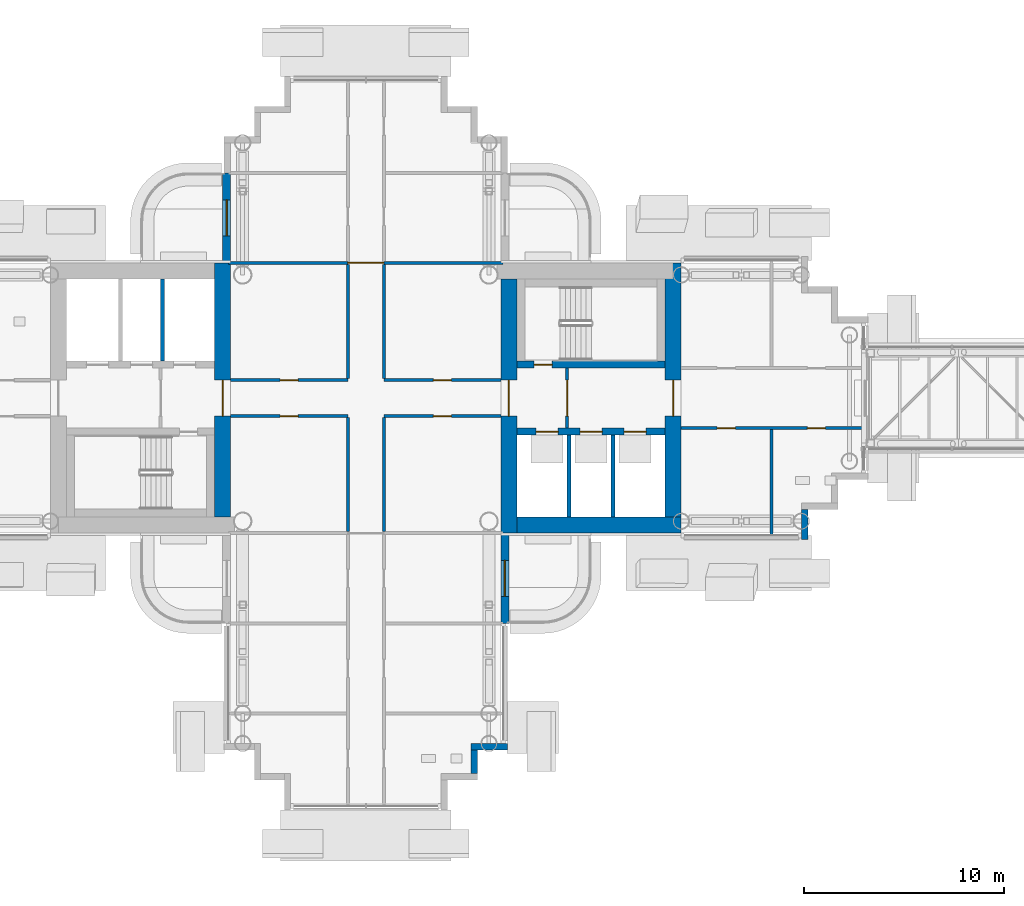
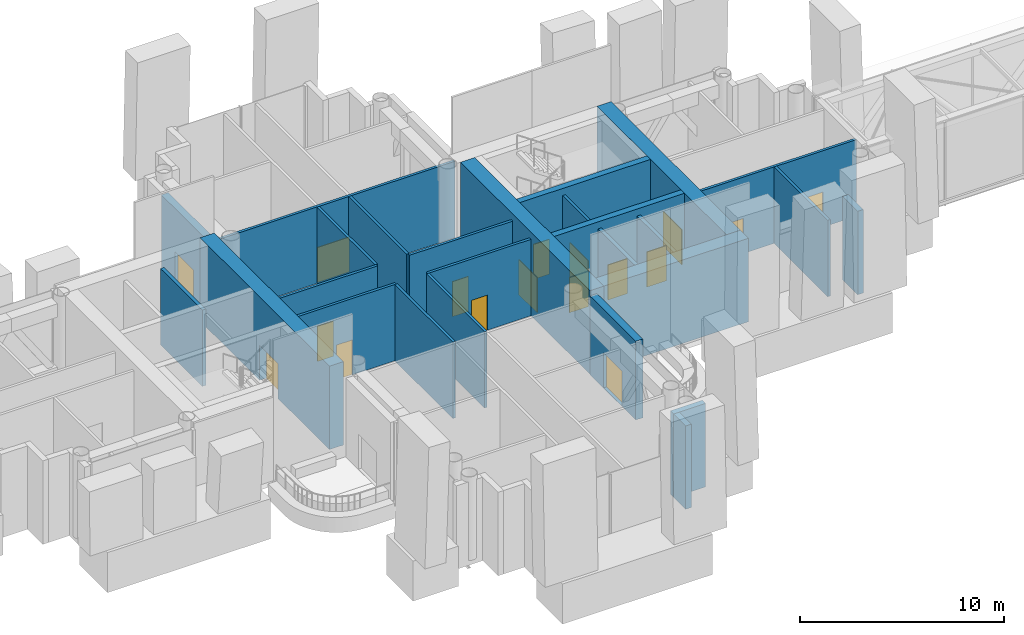
# One storey, part 13 of 34: 26 walls, 17 doors, 17 openings.
"""IFC4 building model written with IfcOpenShell, lengths in metres."""

from ifc_helpers import new_model, si_unit, direction, frame, frame_2d, origin, place, context, subcontext, project, spatial, rectangle, extrude, material, layer, layer_set, type_object, element, fill, save


model = new_model("IFC4")

# Units and contexts
model_context = context("Model", 3, precision=1e-05, world=origin(), true_north=direction((0.0, 1.0)))
body_context = subcontext(model_context, "Body", "Model", "MODEL_VIEW")
ifc_project = project(units=[si_unit("LENGTHUNIT", "METRE"), si_unit("AREAUNIT", "SQUARE_METRE"), si_unit("VOLUMEUNIT", "CUBIC_METRE"), si_unit("PLANEANGLEUNIT", "RADIAN"), si_unit("MASSUNIT", "GRAM", prefix="KILO")], contexts=[model_context])

# Site, building, storey
site_placement = place(None, origin())
site = spatial("IfcSite", under=ifc_project, at=site_placement, CompositionType="ELEMENT")
building_placement = place(site_placement, origin())
building = spatial("IfcBuilding", under=site, at=building_placement, Name="Ipe Terrace Towers", CompositionType="ELEMENT")
storey_placement = place(building_placement, frame((0.0, 0.0, 128.699951171875)))
storey = spatial("IfcBuildingStorey", under=building, at=storey_placement, Name="L35", CompositionType="ELEMENT", Elevation=128.699951171875)

# Wall, opening, door
ifc_material_1 = material(Name="Concrete C40/50 with buff precast cladding", Category="concrete")
ifc_layer_1 = layer(ifc_material_1, 0.39990234375)
ifc_layer_set_1 = layer_set([ifc_layer_1], Name="BALCONY BAY WALL 400")
wall_type_1 = type_object("IfcWallType", Name="BALCONY BAY WALL 400", PredefinedType="STANDARD", material=ifc_layer_set_1)
wall_1_placement = place(storey_placement, frame((-29.050048828125, -11.25, -0.02001953125), z_axis=(0.0, 0.0, 1.0), x_axis=(0.0, 1.0, 0.0)))
wall_1 = element("IfcWall", 1, at=wall_1_placement, inside=storey, type_object=wall_type_1, Name="T1-W-L35-18a wall", PredefinedType="STANDARD", context=body_context, shape_type="SweptSolid", body=[
    extrude(rectangle(XDim=4.5, YDim=0.39990234375, at=frame_2d((2.25, 0.0))), origin(), (0.0, 0.0, 1.0), 4.719970703125),
])
opening_1_placement = place(wall_1_placement, frame((1.35009765625, 0.0, 0.02001953125)))
opening_1 = element("IfcOpeningElement", 2, at=opening_1_placement, cuts=wall_1, Name="Opening T1-D-L35-18", PredefinedType="OPENING", context=body_context, shape_type="SweptSolid", body=[
    extrude(rectangle(XDim=1.800048828125, YDim=2.10009765625, at=frame_2d((0.89990234375, 1.050048828125))), frame((0.0, 0.2099609375, 0.0), z_axis=(0.0, -1.0, 0.0), x_axis=(1.0, 0.0, 0.0)), (0.0, 0.0, 1.0), 0.419921875),
])
ifc_material_2 = material(Name="Aluminium alloy 6063-T6 framed glazed door", Category="aluminium")
door_type_1 = type_object("IfcDoorType", Name="BALCONY DOOR 1800 x 2100 LEFT", OperationType="SINGLE_SWING_LEFT", PredefinedType="DOOR", material=ifc_material_2)
door_1_placement = place(opening_1_placement, origin())
door_1 = element("IfcDoor", 3, at=door_1_placement, inside=storey, type_object=door_type_1, Name="DB1 door", OperationType="SINGLE_SWING_LEFT", OverallHeight=2.10009765625, OverallWidth=1.800048828125, PredefinedType="DOOR", context=body_context, shape_type="SweptSolid", body=[
    extrude(rectangle(XDim=1.800048828125, YDim=2.10009765625, at=frame_2d((0.89990234375, 1.050048828125))), frame((0.0, 0.02490234375, 0.0), z_axis=(0.0, -1.0, 0.0), x_axis=(1.0, 0.0, 0.0)), (0.0, 0.0, 1.0), 0.050048828125),
])
fill(opening_1, door_1)

wall_2_placement = place(storey_placement, frame((-42.949951171875, 11.25, -0.02001953125), z_axis=(0.0, 0.0, 1.0), x_axis=(0.0, -1.0, 0.0)))
wall_2 = element("IfcWall", 4, at=wall_2_placement, inside=storey, type_object=wall_type_1, Name="T1-W-L35-44a wall", PredefinedType="STANDARD", context=body_context, shape_type="SweptSolid", body=[
    extrude(rectangle(XDim=4.5, YDim=0.39990234375, at=frame_2d((2.25, 0.0))), origin(), (0.0, 0.0, 1.0), 4.719970703125),
])
opening_2_placement = place(wall_2_placement, frame((1.35009765625, 0.0, 0.02001953125)))
opening_2 = element("IfcOpeningElement", 5, at=opening_2_placement, cuts=wall_2, Name="Opening T1-D-L35-44", PredefinedType="OPENING", context=body_context, shape_type="SweptSolid", body=[
    extrude(rectangle(XDim=1.800048828125, YDim=2.10009765625, at=frame_2d((0.89990234375, 1.050048828125))), frame((0.0, 0.2099609375, 0.0), z_axis=(0.0, -1.0, 0.0), x_axis=(1.0, 0.0, 0.0)), (0.0, 0.0, 1.0), 0.419921875),
])
door_2_placement = place(opening_2_placement, origin())
door_2 = element("IfcDoor", 6, at=door_2_placement, inside=storey, type_object=door_type_1, Name="DB1 door", OperationType="SINGLE_SWING_LEFT", OverallHeight=2.10009765625, OverallWidth=1.800048828125, PredefinedType="DOOR", context=body_context, shape_type="SweptSolid", body=[
    extrude(rectangle(XDim=1.800048828125, YDim=2.10009765625, at=frame_2d((0.89990234375, 1.050048828125))), frame((0.0, 0.02490234375, 0.0), z_axis=(0.0, -1.0, 0.0), x_axis=(1.0, 0.0, 0.0)), (0.0, 0.0, 1.0), 0.050048828125),
])
fill(opening_2, door_2)

# Walls
ifc_material_3 = material(Name="Concrete C40/50 with buff precast cladding", Category="concrete")
ifc_layer_2 = layer(ifc_material_3, 0.320068359375)
ifc_layer_set_2 = layer_set([ifc_layer_2], Name="BUFF CLADDING WALL 320")
wall_type_2 = type_object("IfcWallType", Name="BUFF CLADDING WALL 320", PredefinedType="STANDARD", material=ifc_layer_set_2)
wall_3_placement = place(storey_placement, frame((-30.590087890625, -18.75, -0.300048828125), z_axis=(0.0, 0.0, 1.0), x_axis=(0.0, 1.0, 0.0)))
element("IfcWall", 7, at=wall_3_placement, inside=storey, type_object=wall_type_2, Name="T1-W-L35-15a wall", PredefinedType="STANDARD", context=body_context, shape_type="SweptSolid", body=[
    extrude(rectangle(XDim=1.179931640625, YDim=0.320068359375, at=frame_2d((0.58984375, 0.0))), origin(), (0.0, 0.0, 1.0), 5.0),
])
wall_4_placement = place(storey_placement, frame((-30.75, -17.409912109375, -0.300048828125), z_axis=(0.0, 0.0, 1.0), x_axis=(1.0, 0.0, 0.0)))
element("IfcWall", 8, at=wall_4_placement, inside=storey, type_object=wall_type_2, Name="T1-W-L35-16a wall", PredefinedType="STANDARD", context=body_context, shape_type="SweptSolid", body=[
    extrude(rectangle(XDim=1.820068359375, YDim=0.320068359375, at=frame_2d((0.91015625, 0.0))), origin(), (0.0, 0.0, 1.0), 5.0),
])
wall_5_placement = place(storey_placement, frame((-14.090087890625, -7.070068359375, -0.300048828125), z_axis=(0.0, 0.0, 1.0), x_axis=(0.0, 1.0, 0.0)))
element("IfcWall", 9, at=wall_5_placement, inside=storey, type_object=wall_type_2, Name="T1-W-L35-21a wall", PredefinedType="STANDARD", context=body_context, shape_type="SweptSolid", body=[
    extrude(rectangle(XDim=1.5, YDim=0.320068359375, at=frame_2d((0.75, 0.0))), origin(), (0.0, 0.0, 1.0), 5.0),
])

# Wall, opening, door
ifc_material_4 = material(Name="Gypsum board partition", Category="plasterboard")
ifc_layer_3 = layer(ifc_material_4, 0.14990234375)
ifc_layer_set_3 = layer_set([ifc_layer_3], Name="Gypsum board partition 150 mm")
wall_type_3 = type_object("IfcWallType", Name="Gypsum board partition 150 mm", PredefinedType="PARTITIONING", material=ifc_layer_set_3)
wall_6_placement = place(storey_placement, frame((-25.949951171875, -1.5, 0.0), z_axis=(0.0, 0.0, 1.0), x_axis=(0.0, 1.0, 0.0)))
wall_6 = element("IfcWall", 10, at=wall_6_placement, inside=storey, type_object=wall_type_3, Name="Gypsum board partition T1 L35 t1c1-lobby-wall", PredefinedType="PARTITIONING", context=body_context, shape_type="SweptSolid", body=[
    extrude(rectangle(XDim=3.0, YDim=0.14990234375, at=frame_2d((1.5, 0.0))), origin(), (0.0, 0.0, 1.0), 4.580078125),
])
opening_3_placement = place(wall_6_placement, frame((0.60009765625, 0.0, 0.0)))
opening_3 = element("IfcOpeningElement", 11, at=opening_3_placement, cuts=wall_6, Name="Opening T1C1-VD", PredefinedType="OPENING", context=body_context, shape_type="SweptSolid", body=[
    extrude(rectangle(XDim=1.800048828125, YDim=2.10009765625, at=frame_2d((0.89990234375, 1.050048828125))), frame((0.0, 0.0849609375, 0.0), z_axis=(0.0, -1.0, 0.0), x_axis=(1.0, 0.0, 0.0)), (0.0, 0.0, 1.0), 0.169921875),
])
ifc_material_5 = material(Name="Fire-rated timber door leaf", Category="wood")
door_type_2 = type_object("IfcDoorType", Name="Lobby door 1800 x 2100 FD60", OperationType="NOTDEFINED", PredefinedType="DOOR", material=ifc_material_5)
door_3_placement = place(opening_3_placement, origin())
door_3 = element("IfcDoor", 12, at=door_3_placement, inside=storey, type_object=door_type_2, Name="Lobby door T1C1-VD", OperationType="SINGLE_SWING_LEFT", OverallHeight=2.10009765625, OverallWidth=1.800048828125, PredefinedType="DOOR", context=body_context, shape_type="SweptSolid", body=[
    extrude(rectangle(XDim=1.800048828125, YDim=2.10009765625, at=frame_2d((0.89990234375, 1.050048828125))), frame((0.0, 0.02490234375, 0.0), z_axis=(0.0, -1.0, 0.0), x_axis=(1.0, 0.0, 0.0)), (0.0, 0.0, 1.0), 0.050048828125),
])
fill(opening_3, door_3)

wall_7_placement = place(storey_placement, frame((-35.10009765625, 0.89990234375, 0.0), z_axis=(0.0, 0.0, 1.0), x_axis=(1.0, 0.0, 0.0)))
wall_7 = element("IfcWall", 13, at=wall_7_placement, inside=storey, type_object=wall_type_3, Name="Gypsum board partition T1 L35 sp-hub-qen-x", PredefinedType="PARTITIONING", context=body_context, shape_type="SweptSolid", body=[
    extrude(rectangle(XDim=5.85009765625, YDim=0.14990234375, at=frame_2d((2.925048828125, 0.0))), origin(), (0.0, 0.0, 1.0), 4.580078125),
])
opening_4_placement = place(wall_7_placement, frame((2.47509765625, 0.0, 0.0)))
opening_4 = element("IfcOpeningElement", 14, at=opening_4_placement, cuts=wall_7, Name="Opening T1-SP-HEN", PredefinedType="OPENING", context=body_context, shape_type="SweptSolid", body=[
    extrude(rectangle(XDim=0.89990234375, YDim=2.10009765625, at=frame_2d((0.449951171875, 1.050048828125))), frame((0.0, 0.0849609375, 0.0), z_axis=(0.0, -1.0, 0.0), x_axis=(1.0, 0.0, 0.0)), (0.0, 0.0, 1.0), 0.169921875),
])
ifc_material_6 = material(Name="Fire-rated timber door leaf", Category="wood")
door_type_3 = type_object("IfcDoorType", Name="Lounge door 900 x 2100 FD30S", OperationType="NOTDEFINED", PredefinedType="DOOR", material=ifc_material_6)
door_4_placement = place(opening_4_placement, origin())
door_4 = element("IfcDoor", 15, at=door_4_placement, inside=storey, type_object=door_type_3, Name="Lounge door T1-SP-HEN", OperationType="SINGLE_SWING_LEFT", OverallHeight=2.10009765625, OverallWidth=0.89990234375, PredefinedType="DOOR", context=body_context, shape_type="SweptSolid", body=[
    extrude(rectangle(XDim=0.89990234375, YDim=2.10009765625, at=frame_2d((0.449951171875, 1.050048828125))), frame((0.0, 0.02490234375, 0.0), z_axis=(0.0, -1.0, 0.0), x_axis=(1.0, 0.0, 0.0)), (0.0, 0.0, 1.0), 0.050048828125),
])
fill(opening_4, door_4)

# Wall
wall_8_placement = place(storey_placement, frame((-35.10009765625, 0.97509765625, 0.0), z_axis=(0.0, 0.0, 1.0), x_axis=(0.0, 1.0, 0.0)))
element("IfcWall", 16, at=wall_8_placement, inside=storey, type_object=wall_type_3, Name="Gypsum board partition T1 L35 sp-hub-qen-y", PredefinedType="PARTITIONING", context=body_context, shape_type="SweptSolid", body=[
    extrude(rectangle(XDim=5.699951171875, YDim=0.14990234375, at=frame_2d((2.85009765625, 0.0))), origin(), (0.0, 0.0, 1.0), 4.580078125),
])

# Wall, opening, door
wall_9_placement = place(storey_placement, frame((-35.10009765625, -0.89990234375, 0.0), z_axis=(0.0, 0.0, 1.0), x_axis=(1.0, 0.0, 0.0)))
wall_9 = element("IfcWall", 17, at=wall_9_placement, inside=storey, type_object=wall_type_3, Name="Gypsum board partition T1 L35 sp-hub-qes-x", PredefinedType="PARTITIONING", context=body_context, shape_type="SweptSolid", body=[
    extrude(rectangle(XDim=5.85009765625, YDim=0.14990234375, at=frame_2d((2.925048828125, 0.0))), origin(), (0.0, 0.0, 1.0), 4.580078125),
])
opening_5_placement = place(wall_9_placement, frame((2.47509765625, 0.0, 0.0)))
opening_5 = element("IfcOpeningElement", 18, at=opening_5_placement, cuts=wall_9, Name="Opening T1-SP-HES", PredefinedType="OPENING", context=body_context, shape_type="SweptSolid", body=[
    extrude(rectangle(XDim=0.89990234375, YDim=2.10009765625, at=frame_2d((0.449951171875, 1.050048828125))), frame((0.0, 0.0849609375, 0.0), z_axis=(0.0, -1.0, 0.0), x_axis=(1.0, 0.0, 0.0)), (0.0, 0.0, 1.0), 0.169921875),
])
door_5_placement = place(opening_5_placement, origin())
door_5 = element("IfcDoor", 19, at=door_5_placement, inside=storey, type_object=door_type_3, Name="Lounge door T1-SP-HES", OperationType="SINGLE_SWING_RIGHT", OverallHeight=2.10009765625, OverallWidth=0.89990234375, PredefinedType="DOOR", context=body_context, shape_type="SweptSolid", body=[
    extrude(rectangle(XDim=0.89990234375, YDim=2.10009765625, at=frame_2d((0.449951171875, 1.050048828125))), frame((0.0, 0.02490234375, 0.0), z_axis=(0.0, -1.0, 0.0), x_axis=(1.0, 0.0, 0.0)), (0.0, 0.0, 1.0), 0.050048828125),
])
fill(opening_5, door_5)

# Wall
wall_10_placement = place(storey_placement, frame((-35.10009765625, -6.675048828125, 0.0), z_axis=(0.0, 0.0, 1.0), x_axis=(0.0, 1.0, 0.0)))
element("IfcWall", 20, at=wall_10_placement, inside=storey, type_object=wall_type_3, Name="Gypsum board partition T1 L35 sp-hub-qes-y", PredefinedType="PARTITIONING", context=body_context, shape_type="SweptSolid", body=[
    extrude(rectangle(XDim=5.699951171875, YDim=0.14990234375, at=frame_2d((2.85009765625, 0.0))), origin(), (0.0, 0.0, 1.0), 4.580078125),
])

# Wall, opening, door
wall_11_placement = place(storey_placement, frame((-42.75, 0.89990234375, 0.0), z_axis=(0.0, 0.0, 1.0), x_axis=(1.0, 0.0, 0.0)))
wall_11 = element("IfcWall", 21, at=wall_11_placement, inside=storey, type_object=wall_type_3, Name="Gypsum board partition T1 L35 sp-hub-qwn-x", PredefinedType="PARTITIONING", context=body_context, shape_type="SweptSolid", body=[
    extrude(rectangle(XDim=5.85009765625, YDim=0.14990234375, at=frame_2d((2.925048828125, 0.0))), origin(), (0.0, 0.0, 1.0), 4.580078125),
])
opening_6_placement = place(wall_11_placement, frame((2.47509765625, 0.0, 0.0)))
opening_6 = element("IfcOpeningElement", 22, at=opening_6_placement, cuts=wall_11, Name="Opening T1-SP-HWN", PredefinedType="OPENING", context=body_context, shape_type="SweptSolid", body=[
    extrude(rectangle(XDim=0.89990234375, YDim=2.10009765625, at=frame_2d((0.449951171875, 1.050048828125))), frame((0.0, 0.0849609375, 0.0), z_axis=(0.0, -1.0, 0.0), x_axis=(1.0, 0.0, 0.0)), (0.0, 0.0, 1.0), 0.169921875),
])
door_6_placement = place(opening_6_placement, origin())
door_6 = element("IfcDoor", 23, at=door_6_placement, inside=storey, type_object=door_type_3, Name="Lounge door T1-SP-HWN", OperationType="SINGLE_SWING_LEFT", OverallHeight=2.10009765625, OverallWidth=0.89990234375, PredefinedType="DOOR", context=body_context, shape_type="SweptSolid", body=[
    extrude(rectangle(XDim=0.89990234375, YDim=2.10009765625, at=frame_2d((0.449951171875, 1.050048828125))), frame((0.0, 0.02490234375, 0.0), z_axis=(0.0, -1.0, 0.0), x_axis=(1.0, 0.0, 0.0)), (0.0, 0.0, 1.0), 0.050048828125),
])
fill(opening_6, door_6)

# Wall
wall_12_placement = place(storey_placement, frame((-36.89990234375, 0.97509765625, 0.0), z_axis=(0.0, 0.0, 1.0), x_axis=(0.0, 1.0, 0.0)))
element("IfcWall", 24, at=wall_12_placement, inside=storey, type_object=wall_type_3, Name="Gypsum board partition T1 L35 sp-hub-qwn-y", PredefinedType="PARTITIONING", context=body_context, shape_type="SweptSolid", body=[
    extrude(rectangle(XDim=5.699951171875, YDim=0.14990234375, at=frame_2d((2.85009765625, 0.0))), origin(), (0.0, 0.0, 1.0), 4.580078125),
])

# Wall, opening, door
wall_13_placement = place(storey_placement, frame((-42.75, -0.89990234375, 0.0), z_axis=(0.0, 0.0, 1.0), x_axis=(1.0, 0.0, 0.0)))
wall_13 = element("IfcWall", 25, at=wall_13_placement, inside=storey, type_object=wall_type_3, Name="Gypsum board partition T1 L35 sp-hub-qws-x", PredefinedType="PARTITIONING", context=body_context, shape_type="SweptSolid", body=[
    extrude(rectangle(XDim=5.85009765625, YDim=0.14990234375, at=frame_2d((2.925048828125, 0.0))), origin(), (0.0, 0.0, 1.0), 4.580078125),
])
opening_7_placement = place(wall_13_placement, frame((2.47509765625, 0.0, 0.0)))
opening_7 = element("IfcOpeningElement", 26, at=opening_7_placement, cuts=wall_13, Name="Opening T1-SP-HWS", PredefinedType="OPENING", context=body_context, shape_type="SweptSolid", body=[
    extrude(rectangle(XDim=0.89990234375, YDim=2.10009765625, at=frame_2d((0.449951171875, 1.050048828125))), frame((0.0, 0.0849609375, 0.0), z_axis=(0.0, -1.0, 0.0), x_axis=(1.0, 0.0, 0.0)), (0.0, 0.0, 1.0), 0.169921875),
])
door_7_placement = place(opening_7_placement, origin())
door_7 = element("IfcDoor", 27, at=door_7_placement, inside=storey, type_object=door_type_3, Name="Lounge door T1-SP-HWS", OperationType="SINGLE_SWING_RIGHT", OverallHeight=2.10009765625, OverallWidth=0.89990234375, PredefinedType="DOOR", context=body_context, shape_type="SweptSolid", body=[
    extrude(rectangle(XDim=0.89990234375, YDim=2.10009765625, at=frame_2d((0.449951171875, 1.050048828125))), frame((0.0, 0.02490234375, 0.0), z_axis=(0.0, -1.0, 0.0), x_axis=(1.0, 0.0, 0.0)), (0.0, 0.0, 1.0), 0.050048828125),
])
fill(opening_7, door_7)

# Wall
wall_14_placement = place(storey_placement, frame((-36.89990234375, -6.675048828125, 0.0), z_axis=(0.0, 0.0, 1.0), x_axis=(0.0, 1.0, 0.0)))
element("IfcWall", 28, at=wall_14_placement, inside=storey, type_object=wall_type_3, Name="Gypsum board partition T1 L35 sp-hub-qws-y", PredefinedType="PARTITIONING", context=body_context, shape_type="SweptSolid", body=[
    extrude(rectangle(XDim=5.699951171875, YDim=0.14990234375, at=frame_2d((2.85009765625, 0.0))), origin(), (0.0, 0.0, 1.0), 4.580078125),
])

# Wall, openings, doors
wall_15_placement = place(storey_placement, frame((-20.25, -1.5, 0.0), z_axis=(0.0, 0.0, 1.0), x_axis=(1.0, 0.0, 0.0)))
wall_15 = element("IfcWall", 29, at=wall_15_placement, inside=storey, type_object=wall_type_3, Name="Gypsum board partition T1 L35 sp-Lp-wm", PredefinedType="PARTITIONING", context=body_context, shape_type="SweptSolid", body=[
    extrude(rectangle(XDim=9.10009765625, YDim=0.14990234375, at=frame_2d((4.550048828125, 0.0))), origin(), (0.0, 0.0, 1.0), 4.580078125),
])
opening_8_placement = place(wall_15_placement, frame((1.800048828125, 0.0, 0.0)))
opening_8 = element("IfcOpeningElement", 30, at=opening_8_placement, cuts=wall_15, Name="Opening T1-SP-MLp1", PredefinedType="OPENING", context=body_context, shape_type="SweptSolid", body=[
    extrude(rectangle(XDim=0.89990234375, YDim=2.10009765625, at=frame_2d((0.449951171875, 1.050048828125))), frame((0.0, 0.0849609375, 0.0), z_axis=(0.0, -1.0, 0.0), x_axis=(1.0, 0.0, 0.0)), (0.0, 0.0, 1.0), 0.169921875),
])
opening_9_placement = place(wall_15_placement, frame((6.300048828125, 0.0, 0.0)))
opening_9 = element("IfcOpeningElement", 31, at=opening_9_placement, cuts=wall_15, Name="Opening T1-SP-MLp2", PredefinedType="OPENING", context=body_context, shape_type="SweptSolid", body=[
    extrude(rectangle(XDim=0.89990234375, YDim=2.10009765625, at=frame_2d((0.449951171875, 1.050048828125))), frame((0.0, 0.0849609375, 0.0), z_axis=(0.0, -1.0, 0.0), x_axis=(1.0, 0.0, 0.0)), (0.0, 0.0, 1.0), 0.169921875),
])
ifc_material_7 = material(Name="Timber door leaf", Category="wood")
door_type_4 = type_object("IfcDoorType", Name="Lounge door 900 x 2100", OperationType="NOTDEFINED", PredefinedType="DOOR", material=ifc_material_7)
door_8_placement = place(opening_9_placement, origin())
door_8 = element("IfcDoor", 32, at=door_8_placement, inside=storey, type_object=door_type_4, Name="Lounge door T1-SP-MLp2", OperationType="SINGLE_SWING_RIGHT", OverallHeight=2.10009765625, OverallWidth=0.89990234375, PredefinedType="DOOR", context=body_context, shape_type="SweptSolid", body=[
    extrude(rectangle(XDim=0.89990234375, YDim=2.10009765625, at=frame_2d((0.449951171875, 1.050048828125))), frame((0.0, 0.02490234375, 0.0), z_axis=(0.0, -1.0, 0.0), x_axis=(1.0, 0.0, 0.0)), (0.0, 0.0, 1.0), 0.050048828125),
])
fill(opening_9, door_8)
door_9_placement = place(opening_8_placement, origin())
door_9 = element("IfcDoor", 33, at=door_9_placement, inside=storey, type_object=door_type_3, Name="Lounge door T1-SP-MLp1", OperationType="SINGLE_SWING_LEFT", OverallHeight=2.10009765625, OverallWidth=0.89990234375, PredefinedType="DOOR", context=body_context, shape_type="SweptSolid", body=[
    extrude(rectangle(XDim=0.89990234375, YDim=2.10009765625, at=frame_2d((0.449951171875, 1.050048828125))), frame((0.0, 0.02490234375, 0.0), z_axis=(0.0, -1.0, 0.0), x_axis=(1.0, 0.0, 0.0)), (0.0, 0.0, 1.0), 0.050048828125),
])
fill(opening_8, door_9)

# Wall
wall_16_placement = place(storey_placement, frame((-15.75, -1.574951171875, 0.0), z_axis=(0.0, 0.0, 1.0), x_axis=(0.0, -1.0, 0.0)))
element("IfcWall", 34, at=wall_16_placement, inside=storey, type_object=wall_type_3, Name="Gypsum board partition T1 L35 sp-Lp-dm1", PredefinedType="PARTITIONING", context=body_context, shape_type="SweptSolid", body=[
    extrude(rectangle(XDim=5.275146484375, YDim=0.14990234375, at=frame_2d((2.6376953125, 0.0))), origin(), (0.0, 0.0, 1.0), 4.580078125),
])

# Wall, opening, door
wall_17_placement = place(storey_placement, frame((-42.85009765625, 6.75, 0.0), z_axis=(0.0, 0.0, 1.0), x_axis=(1.0, 0.0, 0.0)))
wall_17 = element("IfcWall", 35, at=wall_17_placement, inside=storey, type_object=wall_type_3, Name="Gypsum board partition T1 L35 sp-Sp-mouth", PredefinedType="PARTITIONING", context=body_context, shape_type="SweptSolid", body=[
    extrude(rectangle(XDim=13.7001953125, YDim=0.14990234375, at=frame_2d((6.85009765625, 0.0))), origin(), (0.0, 0.0, 1.0), 4.580078125),
])
opening_10_placement = place(wall_17_placement, frame((5.949951171875, 0.0, 0.0)))
opening_10 = element("IfcOpeningElement", 36, at=opening_10_placement, cuts=wall_17, Name="Opening T1-SP-MSp", PredefinedType="OPENING", context=body_context, shape_type="SweptSolid", body=[
    extrude(rectangle(XDim=1.800048828125, YDim=2.10009765625, at=frame_2d((0.89990234375, 1.050048828125))), frame((0.0, 0.0849609375, 0.0), z_axis=(0.0, -1.0, 0.0), x_axis=(1.0, 0.0, 0.0)), (0.0, 0.0, 1.0), 0.169921875),
])
ifc_material_8 = material(Name="Fire-rated timber door leaf", Category="wood")
door_type_5 = type_object("IfcDoorType", Name="Lobby door 1800 x 2100 FD30S", OperationType="NOTDEFINED", PredefinedType="DOOR", material=ifc_material_8)
door_10_placement = place(opening_10_placement, origin())
door_10 = element("IfcDoor", 37, at=door_10_placement, inside=storey, type_object=door_type_5, Name="Lobby door T1-SP-MSp", OperationType="SINGLE_SWING_LEFT", OverallHeight=2.10009765625, OverallWidth=1.800048828125, PredefinedType="DOOR", context=body_context, shape_type="SweptSolid", body=[
    extrude(rectangle(XDim=1.800048828125, YDim=2.10009765625, at=frame_2d((0.89990234375, 1.050048828125))), frame((0.0, 0.02490234375, 0.0), z_axis=(0.0, -1.0, 0.0), x_axis=(1.0, 0.0, 0.0)), (0.0, 0.0, 1.0), 0.050048828125),
])
fill(opening_10, door_10)

# Walls
ifc_material_9 = material(Name="Gypsum board party wall", Category="plasterboard")
ifc_layer_4 = layer(ifc_material_9, 0.199951171875)
ifc_layer_set_4 = layer_set([ifc_layer_4], Name="Gypsum board party wall 200 mm")
wall_type_4 = type_object("IfcWallType", Name="Gypsum board party wall 200 mm", PredefinedType="SOLIDWALL", material=ifc_layer_set_4)
for number, where, z_axis, x_axis, name in (
    (38, (-25.85009765625, -5.949951171875, 0.0), (0.0, 0.0, 1.0), (0.0, 1.0, 0.0), "Gypsum board party wall T1 L35 t1c1-shaft-div1"),
    (39, (-23.64990234375, -5.949951171875, 0.0), (0.0, 0.0, 1.0), (0.0, 1.0, 0.0), "Gypsum board party wall T1 L35 t1c1-shaft-div2"),
    (40, (-46.14990234375, 5.949951171875, 0.0), (0.0, 0.0, 1.0), (0.0, -1.0, 0.0), "Gypsum board party wall T1 L35 t1c2-shaft-div1"),
):
    element("IfcWall", number, at=place(storey_placement, frame(where, z_axis=z_axis, x_axis=x_axis)), inside=storey, type_object=wall_type_4, Name=name, PredefinedType="SOLIDWALL", context=body_context, shape_type="SweptSolid", body=[
        extrude(rectangle(XDim=4.099853515625, YDim=0.199951171875, at=frame_2d((2.0498046875, 0.0))), origin(), (0.0, 0.0, 1.0), 4.580078125),
    ])

# Wall, openings, doors
ifc_material_10 = material(Name="Concrete C50/60", Category="concrete")
ifc_layer_5 = layer(ifc_material_10, 0.35009765625)
ifc_layer_set_5 = layer_set([ifc_layer_5], Name="RW350 CORE SPINE WALL 350 C50-60")
wall_type_5 = type_object("IfcWallType", Name="RW350 CORE SPINE WALL 350 C50-60", PredefinedType="SHEAR", material=ifc_layer_set_5)
wall_18_placement = place(storey_placement, frame((-28.449951171875, -1.675048828125, 0.0), z_axis=(0.0, 0.0, 1.0), x_axis=(1.0, 0.0, 0.0)))
wall_18 = element("IfcWall", 41, at=wall_18_placement, inside=storey, type_object=wall_type_5, Name="Core spine wall T1-C1-Z3-SW1", PredefinedType="SHEAR", context=body_context, shape_type="SweptSolid", body=[
    extrude(rectangle(XDim=7.39990234375, YDim=0.35009765625, at=frame_2d((3.699951171875, 0.0))), origin(), (0.0, 0.0, 1.0), 5.0),
])
opening_11_placement = place(wall_18_placement, frame((0.949951171875, 0.0, 0.0)))
opening_11 = element("IfcOpeningElement", 42, at=opening_11_placement, cuts=wall_18, Name="Opening T1C1-LD1", PredefinedType="OPENING", context=body_context, shape_type="SweptSolid", body=[
    extrude(rectangle(XDim=1.10009765625, YDim=2.10009765625, at=frame_2d((0.550048828125, 1.050048828125))), frame((0.0, 0.18505859375, 0.0), z_axis=(0.0, -1.0, 0.0), x_axis=(1.0, 0.0, 0.0)), (0.0, 0.0, 1.0), 0.3701171875),
])
opening_12_placement = place(wall_18_placement, frame((3.14990234375, 0.0, 0.0)))
opening_12 = element("IfcOpeningElement", 43, at=opening_12_placement, cuts=wall_18, Name="Opening T1C1-LD2", PredefinedType="OPENING", context=body_context, shape_type="SweptSolid", body=[
    extrude(rectangle(XDim=1.10009765625, YDim=2.10009765625, at=frame_2d((0.550048828125, 1.050048828125))), frame((0.0, 0.18505859375, 0.0), z_axis=(0.0, -1.0, 0.0), x_axis=(1.0, 0.0, 0.0)), (0.0, 0.0, 1.0), 0.3701171875),
])
opening_13_placement = place(wall_18_placement, frame((5.35009765625, 0.0, 0.0)))
opening_13 = element("IfcOpeningElement", 44, at=opening_13_placement, cuts=wall_18, Name="Opening T1C1-LD3", PredefinedType="OPENING", context=body_context, shape_type="SweptSolid", body=[
    extrude(rectangle(XDim=1.10009765625, YDim=2.10009765625, at=frame_2d((0.550048828125, 1.050048828125))), frame((0.0, 0.18505859375, 0.0), z_axis=(0.0, -1.0, 0.0), x_axis=(1.0, 0.0, 0.0)), (0.0, 0.0, 1.0), 0.3701171875),
])
ifc_material_11 = material(Name="Fire-rated timber door leaf", Category="wood")
door_type_6 = type_object("IfcDoorType", Name="Sliding door 1100 x 2100 FD60", OperationType="SLIDING_TO_LEFT", PredefinedType="DOOR", material=ifc_material_11)
door_11_placement = place(opening_11_placement, origin())
door_11 = element("IfcDoor", 45, at=door_11_placement, inside=storey, type_object=door_type_6, Name="Sliding door T1C1-LD1", OperationType="SLIDING_TO_LEFT", OverallHeight=2.10009765625, OverallWidth=1.10009765625, PredefinedType="DOOR", context=body_context, shape_type="SweptSolid", body=[
    extrude(rectangle(XDim=1.10009765625, YDim=2.10009765625, at=frame_2d((0.550048828125, 1.050048828125))), frame((0.0, 0.02490234375, 0.0), z_axis=(0.0, -1.0, 0.0), x_axis=(1.0, 0.0, 0.0)), (0.0, 0.0, 1.0), 0.050048828125),
])
fill(opening_11, door_11)
door_12_placement = place(opening_12_placement, origin())
door_12 = element("IfcDoor", 46, at=door_12_placement, inside=storey, type_object=door_type_6, Name="Sliding door T1C1-LD2", OperationType="SLIDING_TO_LEFT", OverallHeight=2.10009765625, OverallWidth=1.10009765625, PredefinedType="DOOR", context=body_context, shape_type="SweptSolid", body=[
    extrude(rectangle(XDim=1.10009765625, YDim=2.10009765625, at=frame_2d((0.550048828125, 1.050048828125))), frame((0.0, 0.02490234375, 0.0), z_axis=(0.0, -1.0, 0.0), x_axis=(1.0, 0.0, 0.0)), (0.0, 0.0, 1.0), 0.050048828125),
])
fill(opening_12, door_12)
door_13_placement = place(opening_13_placement, origin())
door_13 = element("IfcDoor", 47, at=door_13_placement, inside=storey, type_object=door_type_6, Name="Sliding door T1C1-LD3", OperationType="SLIDING_TO_LEFT", OverallHeight=2.10009765625, OverallWidth=1.10009765625, PredefinedType="DOOR", context=body_context, shape_type="SweptSolid", body=[
    extrude(rectangle(XDim=1.10009765625, YDim=2.10009765625, at=frame_2d((0.550048828125, 1.050048828125))), frame((0.0, 0.02490234375, 0.0), z_axis=(0.0, -1.0, 0.0), x_axis=(1.0, 0.0, 0.0)), (0.0, 0.0, 1.0), 0.050048828125),
])
fill(opening_13, door_13)

# Wall, opening, door
wall_19_placement = place(storey_placement, frame((-28.449951171875, 1.675048828125, 0.0), z_axis=(0.0, 0.0, 1.0), x_axis=(1.0, 0.0, 0.0)))
wall_19 = element("IfcWall", 48, at=wall_19_placement, inside=storey, type_object=wall_type_5, Name="Core spine wall T1-C1-Z3-SW2", PredefinedType="SHEAR", context=body_context, shape_type="SweptSolid", body=[
    extrude(rectangle(XDim=7.39990234375, YDim=0.35009765625, at=frame_2d((3.699951171875, 0.0))), origin(), (0.0, 0.0, 1.0), 5.0),
])
opening_14_placement = place(wall_19_placement, frame((0.85009765625, 0.0, 0.0)))
opening_14 = element("IfcOpeningElement", 49, at=opening_14_placement, cuts=wall_19, Name="Opening T1C1-SD", PredefinedType="OPENING", context=body_context, shape_type="SweptSolid", body=[
    extrude(rectangle(XDim=0.89990234375, YDim=2.10009765625, at=frame_2d((0.449951171875, 1.050048828125))), frame((0.0, 0.18505859375, 0.0), z_axis=(0.0, -1.0, 0.0), x_axis=(1.0, 0.0, 0.0)), (0.0, 0.0, 1.0), 0.3701171875),
])
ifc_material_12 = material(Name="Fire-rated timber door leaf", Category="wood")
door_type_7 = type_object("IfcDoorType", Name="Stair door 900 x 2100 FD60", OperationType="NOTDEFINED", PredefinedType="DOOR", material=ifc_material_12)
door_14_placement = place(opening_14_placement, origin())
door_14 = element("IfcDoor", 50, at=door_14_placement, inside=storey, type_object=door_type_7, Name="Stair door T1C1-SD", OperationType="SINGLE_SWING_LEFT", OverallHeight=2.10009765625, OverallWidth=0.89990234375, PredefinedType="DOOR", context=body_context, shape_type="SweptSolid", body=[
    extrude(rectangle(XDim=0.89990234375, YDim=2.10009765625, at=frame_2d((0.449951171875, 1.050048828125))), frame((0.0, 0.02490234375, 0.0), z_axis=(0.0, -1.0, 0.0), x_axis=(1.0, 0.0, 0.0)), (0.0, 0.0, 1.0), 0.050048828125),
])
fill(opening_14, door_14)

# Wall
ifc_material_13 = material(Name="Concrete C50/60", Category="concrete")
ifc_layer_6 = layer(ifc_material_13, 0.800048828125)
ifc_layer_set_6 = layer_set([ifc_layer_6], Name="RW800 CORE WALL 800 C50-60")
wall_type_6 = type_object("IfcWallType", Name="RW800 CORE WALL 800 C50-60", PredefinedType="SHEAR", material=ifc_layer_set_6)
wall_20_placement = place(storey_placement, frame((-28.449951171875, -6.35009765625, 0.0), z_axis=(0.0, 0.0, 1.0), x_axis=(1.0, 0.0, 0.0)))
element("IfcWall", 51, at=wall_20_placement, inside=storey, type_object=wall_type_6, Name="Core wall T1-C1-Z3-W01", PredefinedType="SHEAR", context=body_context, shape_type="SweptSolid", body=[
    extrude(rectangle(XDim=8.199951171875, YDim=0.800048828125, at=frame_2d((4.10009765625, 0.0))), origin(), (0.0, 0.0, 1.0), 5.0),
])

# Wall, opening, door
wall_21_placement = place(storey_placement, frame((-20.64990234375, -5.949951171875, 0.0), z_axis=(0.0, 0.0, 1.0), x_axis=(0.0, 1.0, 0.0)))
wall_21 = element("IfcWall", 52, at=wall_21_placement, inside=storey, type_object=wall_type_6, Name="Core wall T1-C1-Z3-W02", PredefinedType="SHEAR", context=body_context, shape_type="SweptSolid", body=[
    extrude(rectangle(XDim=12.699951171875, YDim=0.800048828125, at=frame_2d((6.35009765625, 0.0))), origin(), (0.0, 0.0, 1.0), 5.0),
])
opening_15_placement = place(wall_21_placement, frame((5.050048828125, 0.0, 0.0)))
opening_15 = element("IfcOpeningElement", 53, at=opening_15_placement, cuts=wall_21, Name="Opening T1C1-FD", PredefinedType="OPENING", context=body_context, shape_type="SweptSolid", body=[
    extrude(rectangle(XDim=1.800048828125, YDim=2.10009765625, at=frame_2d((0.89990234375, 1.050048828125))), frame((0.0, 0.41015625, 0.0), z_axis=(0.0, -1.0, 0.0), x_axis=(1.0, 0.0, 0.0)), (0.0, 0.0, 1.0), 0.820068359375),
])
ifc_material_14 = material(Name="Fire-rated timber door leaf", Category="wood")
door_type_8 = type_object("IfcDoorType", Name="Fire door 1800 x 2100 FD30S", OperationType="NOTDEFINED", PredefinedType="DOOR", material=ifc_material_14)
door_15_placement = place(opening_15_placement, origin())
door_15 = element("IfcDoor", 54, at=door_15_placement, inside=storey, type_object=door_type_8, Name="Fire door T1C1-FD", OperationType="SINGLE_SWING_LEFT", OverallHeight=2.10009765625, OverallWidth=1.800048828125, PredefinedType="DOOR", context=body_context, shape_type="SweptSolid", body=[
    extrude(rectangle(XDim=1.800048828125, YDim=2.10009765625, at=frame_2d((0.89990234375, 1.050048828125))), frame((0.0, 0.02490234375, 0.0), z_axis=(0.0, -1.0, 0.0), x_axis=(1.0, 0.0, 0.0)), (0.0, 0.0, 1.0), 0.050048828125),
])
fill(opening_15, door_15)

wall_22_placement = place(storey_placement, frame((-28.85009765625, 5.949951171875, 0.0), z_axis=(0.0, 0.0, 1.0), x_axis=(0.0, -1.0, 0.0)))
wall_22 = element("IfcWall", 55, at=wall_22_placement, inside=storey, type_object=wall_type_6, Name="Core wall T1-C1-Z3-W04", PredefinedType="SHEAR", context=body_context, shape_type="SweptSolid", body=[
    extrude(rectangle(XDim=12.699951171875, YDim=0.800048828125, at=frame_2d((6.35009765625, 0.0))), origin(), (0.0, 0.0, 1.0), 5.0),
])
opening_16_placement = place(wall_22_placement, frame((5.050048828125, 0.0, 0.0)))
opening_16 = element("IfcOpeningElement", 56, at=opening_16_placement, cuts=wall_22, Name="Opening T1C1-ND", PredefinedType="OPENING", context=body_context, shape_type="SweptSolid", body=[
    extrude(rectangle(XDim=1.800048828125, YDim=2.10009765625, at=frame_2d((0.89990234375, 1.050048828125))), frame((0.0, 0.41015625, 0.0), z_axis=(0.0, -1.0, 0.0), x_axis=(1.0, 0.0, 0.0)), (0.0, 0.0, 1.0), 0.820068359375),
])
door_16_placement = place(opening_16_placement, origin())
door_16 = element("IfcDoor", 57, at=door_16_placement, inside=storey, type_object=door_type_8, Name="Fire door T1C1-ND", OperationType="SINGLE_SWING_LEFT", OverallHeight=2.10009765625, OverallWidth=1.800048828125, PredefinedType="DOOR", context=body_context, shape_type="SweptSolid", body=[
    extrude(rectangle(XDim=1.800048828125, YDim=2.10009765625, at=frame_2d((0.89990234375, 1.050048828125))), frame((0.0, 0.02490234375, 0.0), z_axis=(0.0, -1.0, 0.0), x_axis=(1.0, 0.0, 0.0)), (0.0, 0.0, 1.0), 0.050048828125),
])
fill(opening_16, door_16)

wall_23_placement = place(storey_placement, frame((-43.14990234375, -5.949951171875, 0.0), z_axis=(0.0, 0.0, 1.0), x_axis=(0.0, 1.0, 0.0)))
wall_23 = element("IfcWall", 58, at=wall_23_placement, inside=storey, type_object=wall_type_6, Name="Core wall T1-C2-Z3-W02", PredefinedType="SHEAR", context=body_context, shape_type="SweptSolid", body=[
    extrude(rectangle(XDim=12.699951171875, YDim=0.800048828125, at=frame_2d((6.35009765625, 0.0))), origin(), (0.0, 0.0, 1.0), 5.0),
])
opening_17_placement = place(wall_23_placement, frame((5.050048828125, 0.0, 0.0)))
opening_17 = element("IfcOpeningElement", 59, at=opening_17_placement, cuts=wall_23, Name="Opening T1C2-ND", PredefinedType="OPENING", context=body_context, shape_type="SweptSolid", body=[
    extrude(rectangle(XDim=1.800048828125, YDim=2.10009765625, at=frame_2d((0.89990234375, 1.050048828125))), frame((0.0, 0.41015625, 0.0), z_axis=(0.0, -1.0, 0.0), x_axis=(1.0, 0.0, 0.0)), (0.0, 0.0, 1.0), 0.820068359375),
])
door_17_placement = place(opening_17_placement, origin())
door_17 = element("IfcDoor", 60, at=door_17_placement, inside=storey, type_object=door_type_8, Name="Fire door T1C2-ND", OperationType="SINGLE_SWING_LEFT", OverallHeight=2.10009765625, OverallWidth=1.800048828125, PredefinedType="DOOR", context=body_context, shape_type="SweptSolid", body=[
    extrude(rectangle(XDim=1.800048828125, YDim=2.10009765625, at=frame_2d((0.89990234375, 1.050048828125))), frame((0.0, 0.02490234375, 0.0), z_axis=(0.0, -1.0, 0.0), x_axis=(1.0, 0.0, 0.0)), (0.0, 0.0, 1.0), 0.050048828125),
])
fill(opening_17, door_17)

save(model, "model.ifc")
